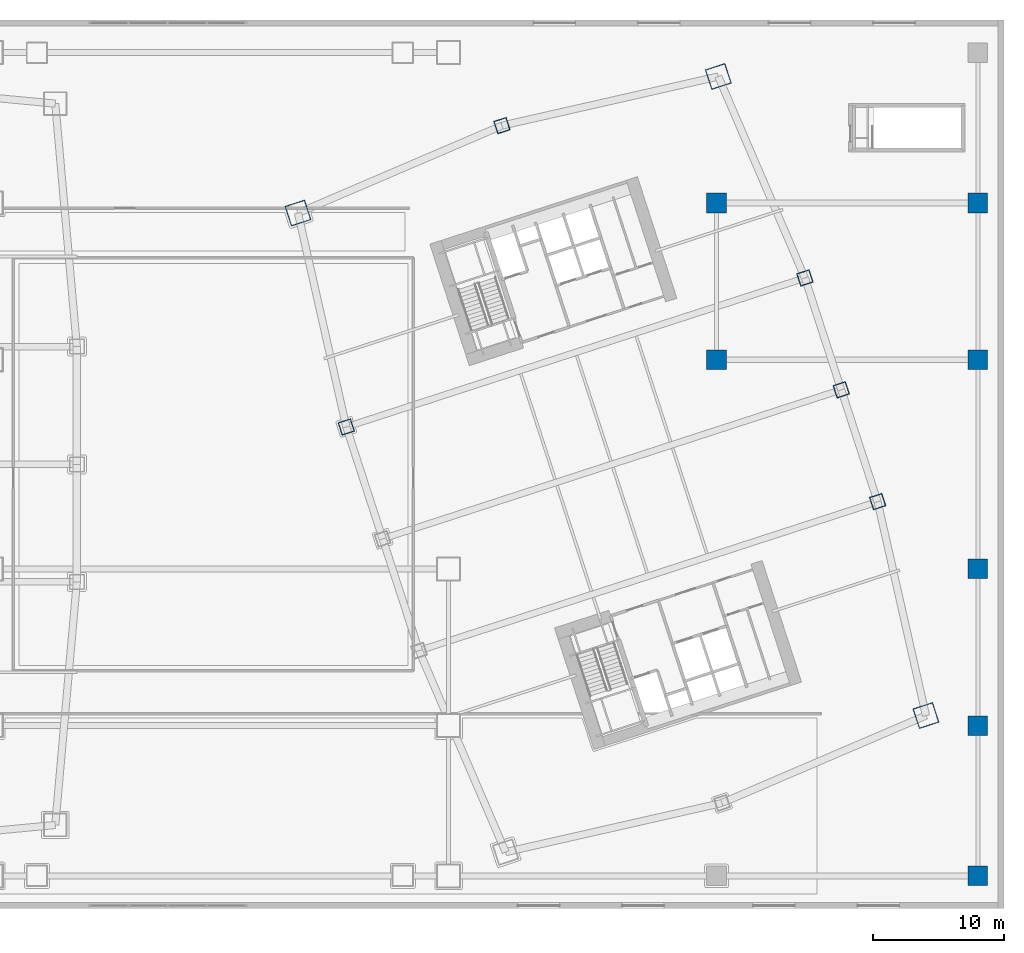
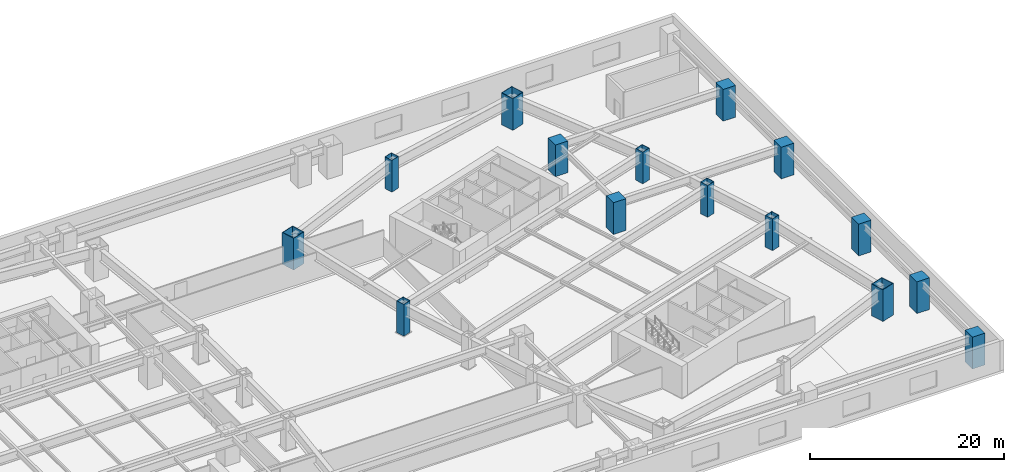
# One storey, part 2 of 25: 15 columns.
"""IFC4 building model written with IfcOpenShell, lengths in metres."""

from ifc_helpers import new_model, si_unit, direction, frame, origin, origin_2d, place, context, subcontext, project, spatial, rectangle, hollow_rectangle, extrude, material, material_profile, profile_set, type_object, element, save


model = new_model("IFC4")

# Units and contexts
model_context = context("Model", 3, precision=1e-05, world=origin(), true_north=direction((0.0, 1.0)))
body_context = subcontext(model_context, "Body", "Model", "MODEL_VIEW")
ifc_project = project(units=[si_unit("LENGTHUNIT", "METRE"), si_unit("AREAUNIT", "SQUARE_METRE"), si_unit("VOLUMEUNIT", "CUBIC_METRE"), si_unit("PLANEANGLEUNIT", "RADIAN"), si_unit("MASSUNIT", "GRAM", prefix="KILO")], contexts=[model_context])

# Site, building, storey
site_placement = place(None, origin())
site = spatial("IfcSite", under=ifc_project, at=site_placement, CompositionType="ELEMENT")
building_placement = place(site_placement, origin())
building = spatial("IfcBuilding", under=site, at=building_placement, Name="Qiaolan Cultural Towers", CompositionType="ELEMENT")
storey_placement = place(building_placement, frame((0.0, 0.0, 22.0)))
storey = spatial("IfcBuildingStorey", under=building, at=storey_placement, Name="L04", CompositionType="ELEMENT", Elevation=22.0)

# Columns
ifc_material_1 = material(Name="Steel Q355B", Category="steel")
ifc_material_profile_1 = material_profile(ifc_material_1, hollow_rectangle(XDim=1.0, YDim=1.0, WallThickness=0.035888671875, at=origin_2d()), Name="BOX1000x1000x36")
ifc_profile_set_1 = profile_set([ifc_material_profile_1], Name="Steel Q355B")
column_type_1 = type_object("IfcColumnType", Name="COL-BOX1000x1000x36", PredefinedType="COLUMN", material=ifc_profile_set_1)
for number, where, z_axis, x_axis, name in (
    (1, (69.671875, 36.858154296875, 0.0), (0.0, 0.0, 1.0), (0.951056516295, 0.309016994375, 0.0), "L04 T2 Column PC-W3"),
    (2, (110.328125, 31.141845703125, 0.0), (0.0, 0.0, 1.0), (0.951056516295, 0.309016994375, 0.0), "L04 T2 Column PC-E1"),
    (3, (107.546875, 39.701416015625, 0.0), (0.0, 0.0, 1.0), (0.951056516295, 0.309016994375, 0.0), "L04 T2 Column PC-E2"),
    (4, (104.765869140625, 48.260986328125, 0.0), (0.0, 0.0, 1.0), (0.951056516295, 0.309016994375, 0.0), "L04 T2 Column PC-E3"),
    (5, (81.579345703125, 59.916259765625, 0.0), (0.0, 0.0, 1.0), (0.951056516295, 0.309016994375, 0.0), "L04 T2 Column PC-N0"),
):
    element("IfcColumn", number, at=place(storey_placement, frame(where, z_axis=z_axis, x_axis=x_axis)), inside=storey, type_object=column_type_1, Name=name, PredefinedType="COLUMN", context=body_context, shape_type="SweptSolid", body=[
        extrude(hollow_rectangle(XDim=1.0, YDim=1.0, WallThickness=0.035888671875, at=origin_2d()), origin(), (0.0, 0.0, 1.0), 4.0009765625),
    ])
ifc_material_2 = material(Name="Steel Q420GJB", Category="steel")
ifc_material_profile_2 = material_profile(ifc_material_2, hollow_rectangle(XDim=1.60009765625, YDim=1.60009765625, WallThickness=0.054931640625, at=origin_2d()), Name="BOX1600x1600x55")
ifc_profile_set_2 = profile_set([ifc_material_profile_2], Name="Steel Q420GJB")
column_type_2 = type_object("IfcColumnType", Name="COL-BOX1600x1600x55", PredefinedType="COLUMN", material=ifc_profile_set_2)
for number, where, z_axis, x_axis, name in (
    (6, (114.027099609375, 14.77392578125, 0.0), (0.0, 0.0, 1.0), (0.951056516295, 0.309016994375, 0.0), "L04 T2 Column MC-SE"),
    (7, (98.137451171875, 63.67724609375, 0.0), (0.0, 0.0, 1.0), (0.951056516295, 0.309016994375, 0.0), "L04 T2 Column MC-NE"),
    (8, (65.972900390625, 53.22607421875, 0.0), (0.0, 0.0, 1.0), (0.951056516295, 0.309016994375, 0.0), "L04 T2 Column MC-NW"),
):
    element("IfcColumn", number, at=place(storey_placement, frame(where, z_axis=z_axis, x_axis=x_axis)), inside=storey, type_object=column_type_2, Name=name, PredefinedType="COLUMN", context=body_context, shape_type="SweptSolid", body=[
        extrude(hollow_rectangle(XDim=1.60009765625, YDim=1.60009765625, WallThickness=0.054931640625, at=origin_2d()), origin(), (0.0, 0.0, 1.0), 4.0009765625),
    ])
ifc_material_3 = material(Name="Concrete C60", Category="concrete")
ifc_material_profile_3 = material_profile(ifc_material_3, rectangle(XDim=1.5, YDim=1.5, at=origin_2d()), Name="RC1500x1500")
ifc_profile_set_3 = profile_set([ifc_material_profile_3], Name="Concrete C60")
column_type_3 = type_object("IfcColumnType", Name="COL-RC1500x1500", PredefinedType="COLUMN", material=ifc_profile_set_3)
for number, where, z_axis, x_axis, name in (
    (9, (98.0, 42.0, 0.0), (0.0, 0.0, 1.0), (1.0, 0.0, 0.0), "L04 Podium Column PC-98-42"),
    (10, (98.0, 54.0, 0.0), (0.0, 0.0, 1.0), (1.0, 0.0, 0.0), "L04 Podium Column PC-98-54"),
    (11, (118.0, 2.5, 0.0), (0.0, 0.0, 1.0), (1.0, 0.0, 0.0), "L04 Podium Column PC-118-2"),
    (12, (118.0, 14.0, 0.0), (0.0, 0.0, 1.0), (1.0, 0.0, 0.0), "L04 Podium Column PC-118-14"),
    (13, (118.0, 26.0, 0.0), (0.0, 0.0, 1.0), (1.0, 0.0, 0.0), "L04 Podium Column PC-118-26"),
    (14, (118.0, 42.0, 0.0), (0.0, 0.0, 1.0), (1.0, 0.0, 0.0), "L04 Podium Column PC-118-42"),
    (15, (118.0, 54.0, 0.0), (0.0, 0.0, 1.0), (1.0, 0.0, 0.0), "L04 Podium Column PC-118-54"),
):
    element("IfcColumn", number, at=place(storey_placement, frame(where, z_axis=z_axis, x_axis=x_axis)), inside=storey, type_object=column_type_3, Name=name, PredefinedType="COLUMN", context=body_context, shape_type="SweptSolid", body=[
        extrude(rectangle(XDim=1.5, YDim=1.5, at=origin_2d()), origin(), (0.0, 0.0, 1.0), 4.0009765625),
    ])

save(model, "model.ifc")
